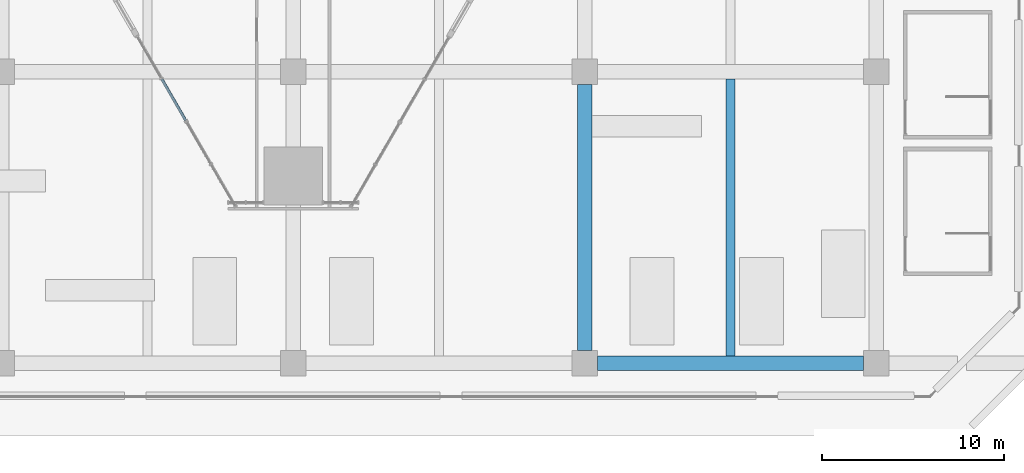
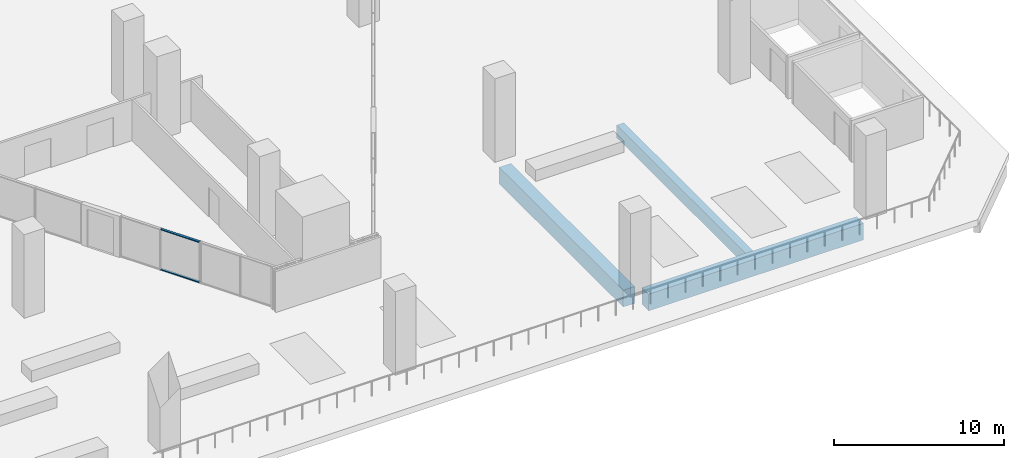
# One storey, part 4 of 25: 3 beams, 2 members, 1 element without a shape of its own.
"""IFC4 building model written with IfcOpenShell, lengths in metres."""

import ifcopenshell
import ifcopenshell.guid

model = None  # the IFC model being written
_history = None  # IfcOwnerHistory: only IFC2X3 demands one
_inside = {}  # id of a spatial element -> (the spatial element, [elements in it])
_under = {}  # id of a project, library or spatial element -> (it, [spatial elements below it])
_declared = {}  # id of a project -> (the project, [libraries it declares])
_typed = {}  # id of a type object -> (the type object, [elements of that type])
_made_of = {}  # id of a material, layer set ... -> (it, [elements and type objects made of it])


def new_model(schema):
    """Start an empty IFC model of exactly this schema.

    Asked for "IFC4X3", IfcOpenShell would pick the latest addendum, in which some entities
    have other attributes; the version numbers below select the first issue.
    IFC2X3 requires an IfcOwnerHistory on every rooted entity: one is made here for all.
    """
    global model, _history
    if schema == "IFC4X3":
        model = ifcopenshell.file(schema_version=(4, 3, 0, 0))
    else:
        model = ifcopenshell.file(schema=schema)
    _inside.clear()
    _under.clear()
    _declared.clear()
    _typed.clear()
    _made_of.clear()
    _history = None
    if model.schema == "IFC2X3":
        org = make("IfcOrganization", Name="unknown")
        user = make(
            "IfcPersonAndOrganization",
            ThePerson=make("IfcPerson", FamilyName="unknown"),
            TheOrganization=org,
        )
        app = make(
            "IfcApplication",
            ApplicationDeveloper=org,
            Version="unknown",
            ApplicationFullName="unknown",
            ApplicationIdentifier="unknown",
        )
        _history = make(
            "IfcOwnerHistory",
            OwningUser=user,
            OwningApplication=app,
            ChangeAction="ADDED",
            CreationDate=0,
        )
    return model


def make(cls, **values):
    """One entity of the class cls with the attributes given. An attribute that is None is left unset."""
    return model.create_entity(
        cls, **{name: value for name, value in values.items() if value is not None}
    )


def rooted(cls, **values):
    """An entity with a GlobalId (a new one), such as an element, a storey or a relation."""
    return make(cls, GlobalId=ifcopenshell.guid.new(), OwnerHistory=_history, **values)


def si_unit(unit_type, name, prefix=None):
    """IfcSIUnit, for example si_unit("LENGTHUNIT", "METRE", prefix="MILLI")."""
    return make("IfcSIUnit", UnitType=unit_type, Prefix=prefix, Name=name)


def assignment(units):
    """IfcUnitAssignment: the units of a project."""
    return None if units is None else make("IfcUnitAssignment", Units=units)


def point(xyz):
    """IfcCartesianPoint."""
    return None if xyz is None else make("IfcCartesianPoint", Coordinates=xyz)


def direction(xyz):
    """IfcDirection."""
    return None if xyz is None else make("IfcDirection", DirectionRatios=xyz)


def frame(location, z_axis=None, x_axis=None):
    """IfcAxis2Placement3D, a coordinate frame: its origin and axes. An axis left out is left unset."""
    return make(
        "IfcAxis2Placement3D",
        Location=point(location),
        Axis=direction(z_axis),
        RefDirection=direction(x_axis),
    )


def frame_2d(location, x_axis=None):
    """IfcAxis2Placement2D, a coordinate frame in the plane: its origin and x axis."""
    return make(
        "IfcAxis2Placement2D", Location=point(location), RefDirection=direction(x_axis)
    )


def origin():
    """The frame at (0, 0, 0) with its axes left unset."""
    return frame((0.0, 0.0, 0.0))


def origin_2d():
    """The frame at (0, 0) in the plane with its x axis left unset."""
    return frame_2d((0.0, 0.0))


def place(relative_to, where):
    """IfcLocalPlacement: puts the frame where relative to a parent placement (None: the world)."""
    return make(
        "IfcLocalPlacement", PlacementRelTo=relative_to, RelativePlacement=where
    )


def context(
    kind, dimensions, precision=None, world=None, true_north=None, identifier=None
):
    """IfcGeometricRepresentationContext, for example the 3D "Model" context."""
    return make(
        "IfcGeometricRepresentationContext",
        ContextIdentifier=identifier,
        ContextType=kind,
        CoordinateSpaceDimension=dimensions,
        Precision=precision,
        WorldCoordinateSystem=world,
        TrueNorth=true_north,
    )


def subcontext(parent, identifier, kind, view, scale=None):
    """IfcGeometricRepresentationSubContext, for example "Body" below "Model"."""
    return make(
        "IfcGeometricRepresentationSubContext",
        ContextIdentifier=identifier,
        ContextType=kind,
        ParentContext=parent,
        TargetScale=scale,
        TargetView=view,
    )


def project(units=None, contexts=None):
    """IfcProject with its units and contexts."""
    return rooted(
        "IfcProject",
        Name="project",
        RepresentationContexts=contexts,
        UnitsInContext=assignment(units),
    )


def spatial(cls, under=None, at=None, **own):
    """A site, building, storey or space (cls), placed at a placement, below another one or the project."""
    s = rooted(cls, ObjectPlacement=at, **own)
    if under is not None:
        _under.setdefault(under.id(), (under, []))[1].append(s)
    return s


def profile(cls, at=None, kind="AREA", **sizes):
    """A parametric profile (cls). Its sizes go by their IFC names, for example OverallWidth=200.0."""
    return make(cls, ProfileType=kind, Position=at, **sizes)


def rectangle(**sizes):
    """IfcRectangleProfileDef."""
    return profile("IfcRectangleProfileDef", **sizes)


def extrude(swept, where, along, depth):
    """IfcExtrudedAreaSolid: the profile swept, set in the frame where, extruded along a direction by depth."""
    return make(
        "IfcExtrudedAreaSolid",
        SweptArea=swept,
        Position=where,
        ExtrudedDirection=direction(along),
        Depth=depth,
    )


def shape(context_of_items, identifier, shape_type, items):
    """IfcShapeRepresentation: the items that make up one representation, for example the "Body"."""
    return make(
        "IfcShapeRepresentation",
        ContextOfItems=context_of_items,
        RepresentationIdentifier=identifier,
        RepresentationType=shape_type,
        Items=items,
    )


def material(Name=None, Category=None):
    """IfcMaterial."""
    return make("IfcMaterial", Name=Name, Category=Category)


def material_profile(
    of_material, cross_section, Name=None, Category=None, Priority=None
):
    """IfcMaterialProfile: a cross section and its material."""
    return make(
        "IfcMaterialProfile",
        Name=Name,
        Material=of_material,
        Profile=cross_section,
        Priority=Priority,
        Category=Category,
    )


def profile_set(profiles, Name=None, composite=None):
    """IfcMaterialProfileSet."""
    return make(
        "IfcMaterialProfileSet",
        Name=Name,
        MaterialProfiles=profiles,
        CompositeProfile=composite,
    )


def made_of(thing, what):
    """Note that an element or type object is made of a material, layer set ...; save() writes the relation."""
    if what is not None:
        _made_of.setdefault(what.id(), (what, []))[1].append(thing)
    return thing


def type_object(cls, material=None, **own):
    """A type object (cls), such as IfcWallType, which elements share."""
    return made_of(rooted(cls, **own), material)


def element(
    cls,
    number,
    at=None,
    inside=None,
    cuts=None,
    type_object=None,
    material=None,
    context=None,
    identifier="Body",
    shape_type=None,
    held_by="IfcProductDefinitionShape",
    body=None,
    shapes=None,
    **own,
):
    """One element of the class cls, such as IfcWall. Its Tag is "e" and its number.

    at: its placement. inside: the storey or other place that contains it. cuts: it is an
    opening in that element (IfcRelVoidsElement). A single representation is given by context,
    identifier, shape_type and body (its items); several are given by shapes. held_by: the class
    of the entity that holds the representations. save() writes the other relations.
    """
    e = rooted(cls, Tag="e%d" % number, ObjectPlacement=at, **own)
    if body is not None:
        shapes = [shape(context, identifier, shape_type, body)]
    if shapes is not None:
        e.Representation = make(held_by, Representations=shapes)
    if inside is not None:
        _inside.setdefault(inside.id(), (inside, []))[1].append(e)
    if cuts is not None:
        rooted(
            "IfcRelVoidsElement", RelatingBuildingElement=cuts, RelatedOpeningElement=e
        )
    if type_object is not None:
        _typed.setdefault(type_object.id(), (type_object, []))[1].append(e)
    return made_of(e, material)


def aggregate(whole, parts):
    """IfcRelAggregates: a whole, such as a stair, and the parts it consists of."""
    return rooted("IfcRelAggregates", RelatingObject=whole, RelatedObjects=parts)


def save(model, path):
    """Write the relations noted so far, then the file.

    IfcRelAggregates (storeys below a building ...), IfcRelContainedInSpatialStructure (elements
    in a storey), IfcRelDefinesByType, IfcRelAssociatesMaterial and IfcRelDeclares: one each for
    every whole, place, type object, material and project.
    """
    for whole, parts in _under.values():
        aggregate(whole, parts)
    for where, things in _inside.values():
        rooted(
            "IfcRelContainedInSpatialStructure",
            RelatedElements=things,
            RelatingStructure=where,
        )
    for kind, things in _typed.values():
        rooted("IfcRelDefinesByType", RelatedObjects=things, RelatingType=kind)
    for what, things in _made_of.values():
        rooted("IfcRelAssociatesMaterial", RelatedObjects=things, RelatingMaterial=what)
    for by, libraries in _declared.values():
        rooted("IfcRelDeclares", RelatingContext=by, RelatedDefinitions=libraries)
    model.write(path)


model = new_model("IFC4")

# Units and contexts
model_context = context("Model", 3, precision=1e-05, world=origin(), true_north=direction((0.0, 1.0)))
body_context = subcontext(model_context, "Body", "Model", "MODEL_VIEW")
ifc_project = project(units=[si_unit("LENGTHUNIT", "METRE"), si_unit("AREAUNIT", "SQUARE_METRE"), si_unit("VOLUMEUNIT", "CUBIC_METRE"), si_unit("PLANEANGLEUNIT", "RADIAN"), si_unit("MASSUNIT", "GRAM", prefix="KILO")], contexts=[model_context])

# Site, building, storey
site_placement = place(None, origin())
site = spatial("IfcSite", under=ifc_project, at=site_placement, CompositionType="ELEMENT")
building_placement = place(site_placement, origin())
building = spatial("IfcBuilding", under=site, at=building_placement, Name="Calabash Gate Tower", CompositionType="ELEMENT")
storey_placement = place(building_placement, frame((0.0, 0.0, 40.0)))
storey = spatial("IfcBuildingStorey", under=building, at=storey_placement, Name="L05", CompositionType="ELEMENT", Elevation=40.0)

# Beams
ifc_material_1 = material(Name="Concrete C50/60", Category="concrete")
ifc_material_profile_1 = material_profile(ifc_material_1, rectangle(XDim=0.5, YDim=0.89990234375, at=origin_2d()))
ifc_profile_set_1 = profile_set([ifc_material_profile_1], Name="Concrete C50/60")
beam_type_1 = type_object("IfcBeamType", Name="Floor beam RC 500x900 Concrete C50/60", PredefinedType="BEAM", material=ifc_profile_set_1)
beam_placement = place(storey_placement, frame((24.0, -39.60009765625, -0.89990234375), z_axis=(0.0, 1.0, 0.0), x_axis=(-1.0, 0.0, 0.0)))
element("IfcBeam", 1, at=beam_placement, inside=storey, type_object=beam_type_1, Name="Floor beam L05 12", PredefinedType="BEAM", context=body_context, shape_type="SweptSolid", body=[
    extrude(rectangle(XDim=0.5, YDim=0.89990234375, at=origin_2d()), origin(), (0.0, 0.0, 1.0), 15.2001953125),
])
ifc_material_2 = material(Name="Concrete C50/60", Category="concrete")
ifc_material_profile_2 = material_profile(ifc_material_2, rectangle(XDim=0.800048828125, YDim=1.199951171875, at=origin_2d()))
ifc_profile_set_2 = profile_set([ifc_material_profile_2], Name="Concrete C50/60")
beam_type_2 = type_object("IfcBeamType", Name="Grid girder RC 800x1200 Concrete C50/60", PredefinedType="BEAM", material=ifc_profile_set_2)
for number, where, z_axis, x_axis, name in (
    (2, (16.0, -39.300048828125, -1.050048828125), (0.0, 1.0, 0.0), (-1.0, 0.0, 0.0), "Grid girder L05 14"),
    (3, (16.699951171875, -40.0, -1.050048828125), (1.0, 0.0, 0.0), (0.0, 1.0, 0.0), "Grid girder L05 27"),
):
    element("IfcBeam", number, at=place(storey_placement, frame(where, z_axis=z_axis, x_axis=x_axis)), inside=storey, type_object=beam_type_2, Name=name, PredefinedType="BEAM", context=body_context, shape_type="SweptSolid", body=[
        extrude(rectangle(XDim=0.800048828125, YDim=1.199951171875, at=origin_2d()), origin(), (0.0, 0.0, 1.0), 14.60009765625),
    ])

# Curtain wall, members
ifc_material_3 = material(Name="Anodised aluminium frame, bronze finish, clear laminated impact-rated glazing", Category="aluminium")
curtain_wall_type = type_object("IfcCurtainWallType", Name="Curtain wall CWF podium shopfront", PredefinedType="NOTDEFINED", material=ifc_material_3)
curtain_wall_placement = place(storey_placement, origin())
curtain_wall = element("IfcCurtainWall", 4, at=curtain_wall_placement, inside=storey, type_object=curtain_wall_type, Name="Curtain wall CWF L05 lobby 0.3.0", PredefinedType="NOTDEFINED")
ifc_material_4 = material(Name="Anodised aluminium frame, bronze finish", Category="aluminium")
ifc_material_profile_3 = material_profile(ifc_material_4, rectangle(XDim=0.14990234375, YDim=0.06494140625, at=origin_2d()))
ifc_profile_set_3 = profile_set([ifc_material_profile_3], Name="Anodised aluminium frame, bronze finish")
member_type = type_object("IfcMemberType", Name="Transom CWF 65x150", PredefinedType="USERDEFINED", material=ifc_profile_set_3)
member_1_placement = place(storey_placement, frame((-7.21337890625, -24.4111328125, 0.032470703125), z_axis=(0.499999534974, -0.866025672267, 0.0), x_axis=(0.866025672267, 0.499999534974, 0.0)))
member_1 = element("IfcMember", 5, at=member_1_placement, type_object=member_type, Name="CWF transom 2.1", ObjectType="TRANSOM", PredefinedType="USERDEFINED", context=body_context, shape_type="SweptSolid", body=[
    extrude(rectangle(XDim=0.14990234375, YDim=0.06494140625, at=origin_2d()), origin(), (0.0, 0.0, 1.0), 2.61865234375),
])
member_2_placement = place(storey_placement, frame((-7.21337890625, -24.4111328125, 2.91748046875), z_axis=(0.499999534974, -0.866025672267, 0.0), x_axis=(0.866025672267, 0.499999534974, 0.0)))
member_2 = element("IfcMember", 6, at=member_2_placement, type_object=member_type, Name="CWF transom 2.2", ObjectType="TRANSOM", PredefinedType="USERDEFINED", context=body_context, shape_type="SweptSolid", body=[
    extrude(rectangle(XDim=0.14990234375, YDim=0.06494140625, at=origin_2d()), origin(), (0.0, 0.0, 1.0), 2.61865234375),
])
aggregate(curtain_wall, [member_1, member_2])

save(model, "model.ifc")
